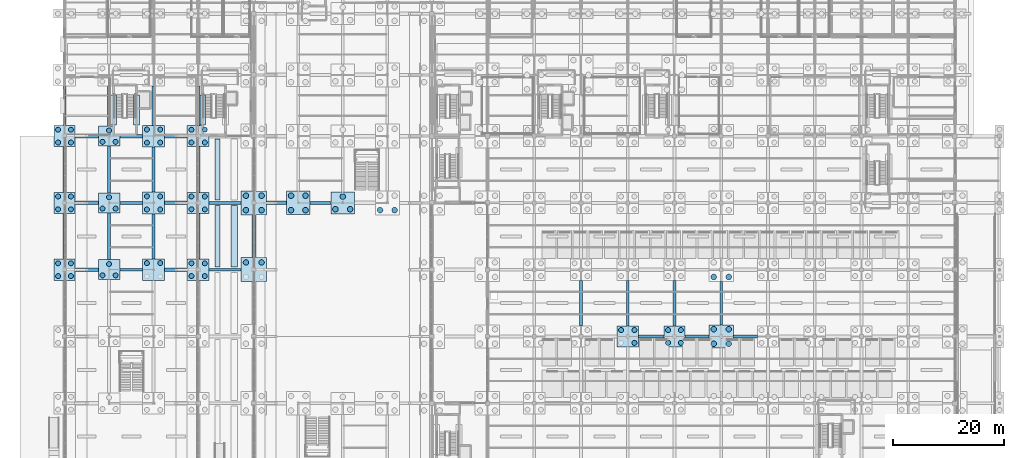
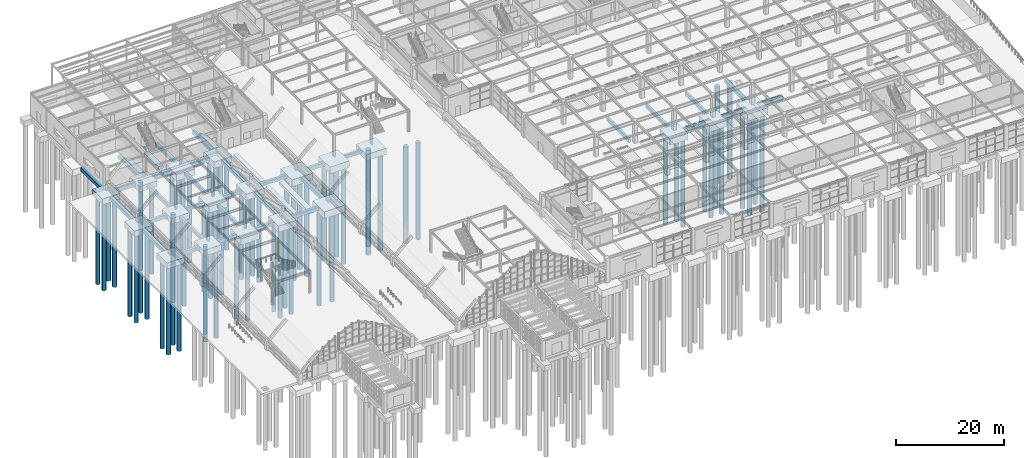
# One storey, part 4 of 129: 71 piles, 58 footings.
"""IFC4 building model written with IfcOpenShell, lengths in metres."""

from ifc_helpers import new_model, si_unit, direction, frame, origin, origin_2d, place, context, subcontext, project, spatial, rectangle, circle, extrude, material, material_profile, profile_set, type_object, element, save


model = new_model("IFC4")

# Units and contexts
model_context = context("Model", 3, precision=1e-05, world=origin(), true_north=direction((0.0, 1.0)))
body_context = subcontext(model_context, "Body", "Model", "MODEL_VIEW")
ifc_project = project(units=[si_unit("LENGTHUNIT", "METRE"), si_unit("AREAUNIT", "SQUARE_METRE"), si_unit("VOLUMEUNIT", "CUBIC_METRE"), si_unit("PLANEANGLEUNIT", "RADIAN"), si_unit("MASSUNIT", "GRAM", prefix="KILO")], contexts=[model_context])

# Site, building, storey
site_placement = place(None, origin())
site = spatial("IfcSite", under=ifc_project, at=site_placement, CompositionType="ELEMENT")
building_placement = place(site_placement, origin())
building = spatial("IfcBuilding", under=site, at=building_placement, Name="Sitalva Quay Ferry Terminal", CompositionType="ELEMENT")
storey_placement = place(building_placement, origin())
storey = spatial("IfcBuildingStorey", under=building, at=storey_placement, Name="L01", CompositionType="ELEMENT", Elevation=0.0)

# Footings
ifc_material_1 = material(Name="Concrete C35/45", Category="concrete")
ifc_material_profile_1 = material_profile(ifc_material_1, rectangle(XDim=0.5, YDim=0.75, at=origin_2d()), Name="RC500x750")
ifc_profile_set_1 = profile_set([ifc_material_profile_1], Name="Concrete C35/45")
footing_type_1 = type_object("IfcFootingType", Name="FootingBeam_500x750", PredefinedType="FOOTING_BEAM", material=ifc_profile_set_1)
footing_1_placement = place(storey_placement, frame((119.5, 42.0, -0.824951171875), z_axis=(1.0, 0.0, 0.0), x_axis=(0.0, 1.0, 0.0)))
element("IfcFooting", 1, at=footing_1_placement, inside=storey, type_object=footing_type_1, Name="Foundation tie beam FBR1-X-073", PredefinedType="FOOTING_BEAM", context=body_context, shape_type="SweptSolid", body=[
    extrude(rectangle(XDim=0.5, YDim=0.75, at=origin_2d()), origin(), (0.0, 0.0, 1.0), 4.300048828125),
])
footing_2_placement = place(storey_placement, frame((17.925048828125, 54.0, -0.824951171875), z_axis=(1.0, 0.0, 0.0), x_axis=(0.0, 1.0, 0.0)))
element("IfcFooting", 2, at=footing_2_placement, inside=storey, type_object=footing_type_1, Name="Foundation tie beam FBR1-X-081", PredefinedType="FOOTING_BEAM", context=body_context, shape_type="SweptSolid", body=[
    extrude(rectangle(XDim=0.5, YDim=0.75, at=origin_2d()), origin(), (0.0, 0.0, 1.0), 4.074951171875),
])
footing_3_placement = place(storey_placement, frame((33.949951171875, 54.0, -0.824951171875), z_axis=(1.0, 0.0, 0.0), x_axis=(0.0, 1.0, 0.0)))
element("IfcFooting", 3, at=footing_3_placement, inside=storey, type_object=footing_type_1, Name="Foundation tie beam FBR1-X-083", PredefinedType="FOOTING_BEAM", context=body_context, shape_type="SweptSolid", body=[
    extrude(rectangle(XDim=0.5, YDim=0.75, at=origin_2d()), origin(), (0.0, 0.0, 1.0), 5.800048828125),
])
footing_4_placement = place(storey_placement, frame((17.925048828125, 66.0, -0.824951171875), z_axis=(1.0, 0.0, 0.0), x_axis=(0.0, 1.0, 0.0)))
element("IfcFooting", 4, at=footing_4_placement, inside=storey, type_object=footing_type_1, Name="Foundation tie beam FBR1-X-097", PredefinedType="FOOTING_BEAM", context=body_context, shape_type="SweptSolid", body=[
    extrude(rectangle(XDim=0.5, YDim=0.75, at=origin_2d()), origin(), (0.0, 0.0, 1.0), 4.074951171875),
])
footing_5_placement = place(storey_placement, frame((33.949951171875, 66.0, -0.824951171875), z_axis=(1.0, 0.0, 0.0), x_axis=(0.0, 1.0, 0.0)))
element("IfcFooting", 5, at=footing_5_placement, inside=storey, type_object=footing_type_1, Name="Foundation tie beam FBR1-X-099", PredefinedType="FOOTING_BEAM", context=body_context, shape_type="SweptSolid", body=[
    extrude(rectangle(XDim=0.5, YDim=0.75, at=origin_2d()), origin(), (0.0, 0.0, 1.0), 5.800048828125),
])
footing_6_placement = place(storey_placement, frame((52.10009765625, 66.0, -0.824951171875), z_axis=(1.0, 0.0, 0.0), x_axis=(0.0, 1.0, 0.0)))
element("IfcFooting", 6, at=footing_6_placement, inside=storey, type_object=footing_type_1, Name="Foundation tie beam FBR1-X-101", PredefinedType="FOOTING_BEAM", context=body_context, shape_type="SweptSolid", body=[
    extrude(rectangle(XDim=0.5, YDim=0.75, at=origin_2d()), origin(), (0.0, 0.0, 1.0), 3.77490234375),
])
for number, where, z_axis, x_axis, name in (
    (7, (16.0, 55.800048828125, -0.824951171875), (0.0, 1.0, 0.0), (-1.0, 0.0, 0.0), "Foundation tie beam FBR1-Y-220"),
    (8, (16.0, 67.800048828125, -0.824951171875), (0.0, 1.0, 0.0), (-1.0, 0.0, 0.0), "Foundation tie beam FBR1-Y-221"),
):
    element("IfcFooting", number, at=place(storey_placement, frame(where, z_axis=z_axis, x_axis=x_axis)), inside=storey, type_object=footing_type_1, Name=name, PredefinedType="FOOTING_BEAM", context=body_context, shape_type="SweptSolid", body=[
        extrude(rectangle(XDim=0.5, YDim=0.75, at=origin_2d()), origin(), (0.0, 0.0, 1.0), 8.39990234375),
    ])
footing_7_placement = place(storey_placement, frame((16.0, 79.800048828125, -0.824951171875), z_axis=(0.0, 1.0, 0.0), x_axis=(-1.0, 0.0, 0.0)))
element("IfcFooting", 9, at=footing_7_placement, inside=storey, type_object=footing_type_1, Name="Foundation tie beam FBR1-Y-222", PredefinedType="FOOTING_BEAM", context=body_context, shape_type="SweptSolid", body=[
    extrude(rectangle(XDim=0.5, YDim=0.75, at=origin_2d()), origin(), (0.0, 0.0, 1.0), 7.25),
])
for number, where, z_axis, x_axis, name in (
    (10, (24.0, 55.949951171875, -0.824951171875), (0.0, 1.0, 0.0), (-1.0, 0.0, 0.0), "Foundation tie beam FBR1-Y-230"),
    (11, (24.0, 67.949951171875, -0.824951171875), (0.0, 1.0, 0.0), (-1.0, 0.0, 0.0), "Foundation tie beam FBR1-Y-231"),
):
    element("IfcFooting", number, at=place(storey_placement, frame(where, z_axis=z_axis, x_axis=x_axis)), inside=storey, type_object=footing_type_1, Name=name, PredefinedType="FOOTING_BEAM", context=body_context, shape_type="SweptSolid", body=[
        extrude(rectangle(XDim=0.5, YDim=0.75, at=origin_2d()), origin(), (0.0, 0.0, 1.0), 8.10009765625),
    ])
footing_8_placement = place(storey_placement, frame((24.0, 79.949951171875, -0.824951171875), z_axis=(0.0, 1.0, 0.0), x_axis=(-1.0, 0.0, 0.0)))
element("IfcFooting", 12, at=footing_8_placement, inside=storey, type_object=footing_type_1, Name="Foundation tie beam FBR1-Y-232", PredefinedType="FOOTING_BEAM", context=body_context, shape_type="SweptSolid", body=[
    extrude(rectangle(XDim=0.5, YDim=0.75, at=origin_2d()), origin(), (0.0, 0.0, 1.0), 7.10009765625),
])
for number, where, z_axis, x_axis, name in (
    (13, (100.800048828125, 43.89990234375, -0.824951171875), (0.0, 1.0, 0.0), (-1.0, 0.0, 0.0), "Foundation tie beam FBR1-Y-314"),
    (14, (109.199951171875, 43.89990234375, -0.824951171875), (0.0, 1.0, 0.0), (-1.0, 0.0, 0.0), "Foundation tie beam FBR1-Y-324"),
    (15, (117.60009765625, 43.89990234375, -0.824951171875), (0.0, 1.0, 0.0), (-1.0, 0.0, 0.0), "Foundation tie beam FBR1-Y-334"),
):
    element("IfcFooting", number, at=place(storey_placement, frame(where, z_axis=z_axis, x_axis=x_axis)), inside=storey, type_object=footing_type_1, Name=name, PredefinedType="FOOTING_BEAM", context=body_context, shape_type="SweptSolid", body=[
        extrude(rectangle(XDim=0.5, YDim=0.75, at=origin_2d()), origin(), (0.0, 0.0, 1.0), 8.2001953125),
    ])
footing_9_placement = place(storey_placement, frame((126.0, 44.10009765625, -0.824951171875), z_axis=(0.0, 1.0, 0.0), x_axis=(-1.0, 0.0, 0.0)))
element("IfcFooting", 16, at=footing_9_placement, inside=storey, type_object=footing_type_1, Name="Foundation tie beam FBR1-Y-344", PredefinedType="FOOTING_BEAM", context=body_context, shape_type="SweptSolid", body=[
    extrude(rectangle(XDim=0.5, YDim=0.75, at=origin_2d()), origin(), (0.0, 0.0, 1.0), 7.7998046875),
])
ifc_material_2 = material(Name="Concrete C35/45", Category="concrete")
ifc_material_profile_2 = material_profile(ifc_material_2, rectangle(XDim=0.60009765625, YDim=0.800048828125, at=origin_2d()), Name="RC600x800")
ifc_profile_set_2 = profile_set([ifc_material_profile_2], Name="Concrete C35/45")
footing_type_2 = type_object("IfcFootingType", Name="FootingBeam_600x800", PredefinedType="FOOTING_BEAM", material=ifc_profile_set_2)
footing_10_placement = place(storey_placement, frame((111.14990234375, 42.0, -0.85009765625), z_axis=(1.0, 0.0, 0.0), x_axis=(0.0, 1.0, 0.0)))
element("IfcFooting", 17, at=footing_10_placement, inside=storey, type_object=footing_type_2, Name="Foundation tie beam FBR1-X-072", PredefinedType="FOOTING_BEAM", context=body_context, shape_type="SweptSolid", body=[
    extrude(rectangle(XDim=0.60009765625, YDim=0.800048828125, at=origin_2d()), origin(), (0.0, 0.0, 1.0), 4.550048828125),
])
footing_11_placement = place(storey_placement, frame((128.199951171875, 42.0, -0.85009765625), z_axis=(1.0, 0.0, 0.0), x_axis=(0.0, 1.0, 0.0)))
element("IfcFooting", 18, at=footing_11_placement, inside=storey, type_object=footing_type_2, Name="Foundation tie beam FBR1-X-074", PredefinedType="FOOTING_BEAM", context=body_context, shape_type="SweptSolid", body=[
    extrude(rectangle(XDim=0.60009765625, YDim=0.800048828125, at=origin_2d()), origin(), (0.0, 0.0, 1.0), 4.300048828125),
])
footing_12_placement = place(storey_placement, frame((9.89990234375, 54.0, -0.85009765625), z_axis=(1.0, 0.0, 0.0), x_axis=(0.0, 1.0, 0.0)))
element("IfcFooting", 19, at=footing_12_placement, inside=storey, type_object=footing_type_2, Name="Foundation tie beam FBR1-X-080", PredefinedType="FOOTING_BEAM", context=body_context, shape_type="SweptSolid", body=[
    extrude(rectangle(XDim=0.60009765625, YDim=0.800048828125, at=origin_2d()), origin(), (0.0, 0.0, 1.0), 4.175048828125),
])
footing_13_placement = place(storey_placement, frame((26.0, 54.0, -0.85009765625), z_axis=(1.0, 0.0, 0.0), x_axis=(0.0, 1.0, 0.0)))
element("IfcFooting", 20, at=footing_13_placement, inside=storey, type_object=footing_type_2, Name="Foundation tie beam FBR1-X-082", PredefinedType="FOOTING_BEAM", context=body_context, shape_type="SweptSolid", body=[
    extrude(rectangle(XDim=0.60009765625, YDim=0.800048828125, at=origin_2d()), origin(), (0.0, 0.0, 1.0), 4.050048828125),
])
footing_14_placement = place(storey_placement, frame((9.89990234375, 66.0, -0.85009765625), z_axis=(1.0, 0.0, 0.0), x_axis=(0.0, 1.0, 0.0)))
element("IfcFooting", 21, at=footing_14_placement, inside=storey, type_object=footing_type_2, Name="Foundation tie beam FBR1-X-096", PredefinedType="FOOTING_BEAM", context=body_context, shape_type="SweptSolid", body=[
    extrude(rectangle(XDim=0.60009765625, YDim=0.800048828125, at=origin_2d()), origin(), (0.0, 0.0, 1.0), 4.175048828125),
])
footing_15_placement = place(storey_placement, frame((26.0, 66.0, -0.85009765625), z_axis=(1.0, 0.0, 0.0), x_axis=(0.0, 1.0, 0.0)))
element("IfcFooting", 22, at=footing_15_placement, inside=storey, type_object=footing_type_2, Name="Foundation tie beam FBR1-X-098", PredefinedType="FOOTING_BEAM", context=body_context, shape_type="SweptSolid", body=[
    extrude(rectangle(XDim=0.60009765625, YDim=0.800048828125, at=origin_2d()), origin(), (0.0, 0.0, 1.0), 4.050048828125),
])
footing_16_placement = place(storey_placement, frame((44.25, 66.0, -0.85009765625), z_axis=(1.0, 0.0, 0.0), x_axis=(0.0, 1.0, 0.0)))
element("IfcFooting", 23, at=footing_16_placement, inside=storey, type_object=footing_type_2, Name="Foundation tie beam FBR1-X-100", PredefinedType="FOOTING_BEAM", context=body_context, shape_type="SweptSolid", body=[
    extrude(rectangle(XDim=0.60009765625, YDim=0.800048828125, at=origin_2d()), origin(), (0.0, 0.0, 1.0), 3.64990234375),
])
for number, where, z_axis, x_axis, name in (
    (24, (8.0, 55.89990234375, -0.85009765625), (0.0, 1.0, 0.0), (-1.0, 0.0, 0.0), "Foundation tie beam FBR1-Y-213"),
    (25, (8.0, 67.89990234375, -0.85009765625), (0.0, 1.0, 0.0), (-1.0, 0.0, 0.0), "Foundation tie beam FBR1-Y-214"),
):
    element("IfcFooting", number, at=place(storey_placement, frame(where, z_axis=z_axis, x_axis=x_axis)), inside=storey, type_object=footing_type_2, Name=name, PredefinedType="FOOTING_BEAM", context=body_context, shape_type="SweptSolid", body=[
        extrude(rectangle(XDim=0.60009765625, YDim=0.800048828125, at=origin_2d()), origin(), (0.0, 0.0, 1.0), 8.2001953125),
    ])
footing_17_placement = place(storey_placement, frame((8.0, 79.89990234375, -0.85009765625), z_axis=(0.0, 1.0, 0.0), x_axis=(-1.0, 0.0, 0.0)))
element("IfcFooting", 26, at=footing_17_placement, inside=storey, type_object=footing_type_2, Name="Foundation tie beam FBR1-Y-215", PredefinedType="FOOTING_BEAM", context=body_context, shape_type="SweptSolid", body=[
    extrude(rectangle(XDim=0.60009765625, YDim=0.800048828125, at=origin_2d()), origin(), (0.0, 0.0, 1.0), 7.150146484375),
])
for number, where, z_axis, x_axis, name in (
    (27, (32.0, 55.89990234375, -0.85009765625), (0.0, 1.0, 0.0), (-1.0, 0.0, 0.0), "Foundation tie beam FBR1-Y-240"),
    (28, (32.0, 67.89990234375, -0.85009765625), (0.0, 1.0, 0.0), (-1.0, 0.0, 0.0), "Foundation tie beam FBR1-Y-241"),
):
    element("IfcFooting", number, at=place(storey_placement, frame(where, z_axis=z_axis, x_axis=x_axis)), inside=storey, type_object=footing_type_2, Name=name, PredefinedType="FOOTING_BEAM", context=body_context, shape_type="SweptSolid", body=[
        extrude(rectangle(XDim=0.60009765625, YDim=0.800048828125, at=origin_2d()), origin(), (0.0, 0.0, 1.0), 8.2001953125),
    ])
footing_18_placement = place(storey_placement, frame((32.0, 79.89990234375, -0.85009765625), z_axis=(0.0, 1.0, 0.0), x_axis=(-1.0, 0.0, 0.0)))
element("IfcFooting", 29, at=footing_18_placement, inside=storey, type_object=footing_type_2, Name="Foundation tie beam FBR1-Y-242", PredefinedType="FOOTING_BEAM", context=body_context, shape_type="SweptSolid", body=[
    extrude(rectangle(XDim=0.60009765625, YDim=0.800048828125, at=origin_2d()), origin(), (0.0, 0.0, 1.0), 7.150146484375),
])
footing_19_placement = place(storey_placement, frame((42.0, 56.14990234375, -0.85009765625), z_axis=(0.0, 1.0, 0.0), x_axis=(-1.0, 0.0, 0.0)))
element("IfcFooting", 30, at=footing_19_placement, inside=storey, type_object=footing_type_2, Name="Foundation tie beam FBR1-Y-250", PredefinedType="FOOTING_BEAM", context=body_context, shape_type="SweptSolid", body=[
    extrude(rectangle(XDim=0.60009765625, YDim=0.800048828125, at=origin_2d()), origin(), (0.0, 0.0, 1.0), 7.7001953125),
])
ifc_material_3 = material(Name="Concrete C35/45", Category="concrete")
ifc_material_profile_3 = material_profile(ifc_material_3, rectangle(XDim=0.64990234375, YDim=0.89990234375, at=origin_2d()), Name="RC650x900")
ifc_profile_set_3 = profile_set([ifc_material_profile_3], Name="Concrete C35/45")
footing_type_3 = type_object("IfcFootingType", Name="FootingBeam_650x900", PredefinedType="FOOTING_BEAM", material=ifc_profile_set_3)
footing_20_placement = place(storey_placement, frame((9.89990234375, 78.0, -0.89990234375), z_axis=(1.0, 0.0, 0.0), x_axis=(0.0, 1.0, 0.0)))
element("IfcFooting", 31, at=footing_20_placement, inside=storey, type_object=footing_type_3, Name="Foundation tie beam FBR1-X-116", PredefinedType="FOOTING_BEAM", context=body_context, shape_type="SweptSolid", body=[
    extrude(rectangle(XDim=0.64990234375, YDim=0.89990234375, at=origin_2d()), origin(), (0.0, 0.0, 1.0), 4.175048828125),
])
footing_21_placement = place(storey_placement, frame((17.925048828125, 78.0, -0.89990234375), z_axis=(1.0, 0.0, 0.0), x_axis=(0.0, 1.0, 0.0)))
element("IfcFooting", 32, at=footing_21_placement, inside=storey, type_object=footing_type_3, Name="Foundation tie beam FBR1-X-117", PredefinedType="FOOTING_BEAM", context=body_context, shape_type="SweptSolid", body=[
    extrude(rectangle(XDim=0.64990234375, YDim=0.89990234375, at=origin_2d()), origin(), (0.0, 0.0, 1.0), 4.074951171875),
])
footing_22_placement = place(storey_placement, frame((26.0, 78.0, -0.89990234375), z_axis=(1.0, 0.0, 0.0), x_axis=(0.0, 1.0, 0.0)))
element("IfcFooting", 33, at=footing_22_placement, inside=storey, type_object=footing_type_3, Name="Foundation tie beam FBR1-X-118", PredefinedType="FOOTING_BEAM", context=body_context, shape_type="SweptSolid", body=[
    extrude(rectangle(XDim=0.64990234375, YDim=0.89990234375, at=origin_2d()), origin(), (0.0, 0.0, 1.0), 4.050048828125),
])
ifc_material_4 = material(Name="Concrete C35/45", Category="concrete")
footing_type_4 = type_object("IfcFootingType", Name="PileCap_3P_D1000_A", PredefinedType="PILE_CAP", material=ifc_material_4)
footing_23_placement = place(storey_placement, frame((58.0, 66.0, -1.869873046875), z_axis=(0.0, 0.0, 1.0), x_axis=(1.0, 0.0, 0.0)))
element("IfcFooting", 34, at=footing_23_placement, inside=storey, type_object=footing_type_4, Name="Pile cap PC-18 at 8H", PredefinedType="PILE_CAP", context=body_context, shape_type="SweptSolid", body=[
    extrude(rectangle(XDim=4.25, YDim=3.949951171875, at=origin_2d()), origin(), (0.0, 0.0, 1.0), 1.419921875),
])
ifc_material_5 = material(Name="Concrete C35/45", Category="concrete")
footing_type_5 = type_object("IfcFootingType", Name="PileCap_3P_D900_A", PredefinedType="PILE_CAP", material=ifc_material_5)
for number, where, z_axis, x_axis, name in (
    (35, (16.0, 54.0, -1.75), (0.0, 0.0, 1.0), (1.0, 0.0, 0.0), "Pile cap PC-17 at 3G"),
    (36, (16.0, 66.0, -1.75), (0.0, 0.0, 1.0), (1.0, 0.0, 0.0), "Pile cap PC-17 at 3H"),
    (37, (16.0, 78.0, -1.75), (0.0, 0.0, 1.0), (1.0, 0.0, 0.0), "Pile cap PC-17 at 3J"),
):
    element("IfcFooting", number, at=place(storey_placement, frame(where, z_axis=z_axis, x_axis=x_axis)), inside=storey, type_object=footing_type_5, Name=name, PredefinedType="PILE_CAP", context=body_context, shape_type="SweptSolid", body=[
        extrude(rectangle(XDim=3.85009765625, YDim=3.60009765625, at=origin_2d()), origin(), (0.0, 0.0, 1.0), 1.300048828125),
    ])
ifc_material_6 = material(Name="Concrete C35/45", Category="concrete")
footing_type_6 = type_object("IfcFootingType", Name="PileCap_4P_D1000_A", PredefinedType="PILE_CAP", material=ifc_material_6)
footing_24_placement = place(storey_placement, frame((50.0, 66.0, -1.949951171875), z_axis=(0.0, 0.0, 1.0), x_axis=(1.0, 0.0, 0.0)))
element("IfcFooting", 38, at=footing_24_placement, inside=storey, type_object=footing_type_6, Name="Pile cap PC-03 at 7H", PredefinedType="PILE_CAP", context=body_context, shape_type="SweptSolid", body=[
    extrude(rectangle(XDim=4.199951171875, YDim=4.199951171875, at=origin_2d()), origin(), (0.0, 0.0, 1.0), 1.5),
])
ifc_material_7 = material(Name="Concrete C35/45", Category="concrete")
footing_type_7 = type_object("IfcFootingType", Name="PileCap_4P_D1000_C", PredefinedType="PILE_CAP", material=ifc_material_7)
footing_25_placement = place(storey_placement, frame((126.0, 42.0, -2.050048828125), z_axis=(0.0, 0.0, 1.0), x_axis=(1.0, 0.0, 0.0)))
element("IfcFooting", 39, at=footing_25_placement, inside=storey, type_object=footing_type_7, Name="Pile cap PC-05 at 16F", PredefinedType="PILE_CAP", context=body_context, shape_type="SweptSolid", body=[
    extrude(rectangle(XDim=4.39990234375, YDim=4.199951171875, at=origin_2d()), origin(), (0.0, 0.0, 1.0), 1.60009765625),
])
ifc_material_8 = material(Name="Concrete C35/45", Category="concrete")
footing_type_8 = type_object("IfcFootingType", Name="PileCap_4P_D1000_V1", PredefinedType="PILE_CAP", material=ifc_material_8)
for number, where, z_axis, x_axis, name in (
    (40, (42.0, 54.0, -2.0), (0.0, 0.0, 1.0), (1.0, 0.0, 0.0), "Pile cap PC-06 at 6G"),
    (41, (42.0, 66.0, -2.0), (0.0, 0.0, 1.0), (1.0, 0.0, 0.0), "Pile cap PC-06 at 6H"),
):
    element("IfcFooting", number, at=place(storey_placement, frame(where, z_axis=z_axis, x_axis=x_axis)), inside=storey, type_object=footing_type_8, Name=name, PredefinedType="PILE_CAP", context=body_context, shape_type="SweptSolid", body=[
        extrude(rectangle(XDim=4.5, YDim=4.300048828125, at=origin_2d()), origin(), (0.0, 0.0, 1.0), 1.550048828125),
    ])
ifc_material_9 = material(Name="Concrete C35/45", Category="concrete")
footing_type_9 = type_object("IfcFootingType", Name="PileCap_4P_D900_A", PredefinedType="PILE_CAP", material=ifc_material_9)
for number, where, z_axis, x_axis, name in (
    (42, (117.60009765625, 42.0, -1.800048828125), (0.0, 0.0, 1.0), (1.0, 0.0, 0.0), "Pile cap PC-07 at 15F"),
    (43, (8.0, 54.0, -1.800048828125), (0.0, 0.0, 1.0), (1.0, 0.0, 0.0), "Pile cap PC-07 at 2G"),
    (44, (8.0, 66.0, -1.800048828125), (0.0, 0.0, 1.0), (1.0, 0.0, 0.0), "Pile cap PC-07 at 2H"),
    (45, (8.0, 78.0, -1.800048828125), (0.0, 0.0, 1.0), (1.0, 0.0, 0.0), "Pile cap PC-07 at 2J"),
):
    element("IfcFooting", number, at=place(storey_placement, frame(where, z_axis=z_axis, x_axis=x_axis)), inside=storey, type_object=footing_type_9, Name=name, PredefinedType="PILE_CAP", context=body_context, shape_type="SweptSolid", body=[
        extrude(rectangle(XDim=3.800048828125, YDim=3.800048828125, at=origin_2d()), origin(), (0.0, 0.0, 1.0), 1.35009765625),
    ])
ifc_material_10 = material(Name="Concrete C35/45", Category="concrete")
footing_type_10 = type_object("IfcFootingType", Name="PileCap_4P_D900_B", PredefinedType="PILE_CAP", material=ifc_material_10)
for number, where, z_axis, x_axis, name in (
    (46, (109.199951171875, 42.0, -1.849853515625), (0.0, 0.0, 1.0), (1.0, 0.0, 0.0), "Pile cap PC-08 at 14F"),
    (47, (32.0, 54.0, -1.849853515625), (0.0, 0.0, 1.0), (1.0, 0.0, 0.0), "Pile cap PC-08 at 5G"),
    (48, (32.0, 66.0, -1.849853515625), (0.0, 0.0, 1.0), (1.0, 0.0, 0.0), "Pile cap PC-08 at 5H"),
    (49, (32.0, 78.0, -1.849853515625), (0.0, 0.0, 1.0), (1.0, 0.0, 0.0), "Pile cap PC-08 at 5J"),
):
    element("IfcFooting", number, at=place(storey_placement, frame(where, z_axis=z_axis, x_axis=x_axis)), inside=storey, type_object=footing_type_10, Name=name, PredefinedType="PILE_CAP", context=body_context, shape_type="SweptSolid", body=[
        extrude(rectangle(XDim=3.89990234375, YDim=3.800048828125, at=origin_2d()), origin(), (0.0, 0.0, 1.0), 1.39990234375),
    ])
ifc_material_11 = material(Name="Concrete C35/45", Category="concrete")
footing_type_11 = type_object("IfcFootingType", Name="PileCap_4P_D900_C", PredefinedType="PILE_CAP", material=ifc_material_11)
for number, where, z_axis, x_axis, name in (
    (50, (24.0, 54.0, -1.89990234375), (0.0, 0.0, 1.0), (1.0, 0.0, 0.0), "Pile cap PC-09 at 4G"),
    (51, (24.0, 66.0, -1.89990234375), (0.0, 0.0, 1.0), (1.0, 0.0, 0.0), "Pile cap PC-09 at 4H"),
    (52, (24.0, 78.0, -1.89990234375), (0.0, 0.0, 1.0), (1.0, 0.0, 0.0), "Pile cap PC-09 at 4J"),
):
    element("IfcFooting", number, at=place(storey_placement, frame(where, z_axis=z_axis, x_axis=x_axis)), inside=storey, type_object=footing_type_11, Name=name, PredefinedType="PILE_CAP", context=body_context, shape_type="SweptSolid", body=[
        extrude(rectangle(XDim=4.0, YDim=3.89990234375, at=origin_2d()), origin(), (0.0, 0.0, 1.0), 1.449951171875),
    ])

# Piles
ifc_material_12 = material(Name="Concrete C35/45", Category="concrete")
ifc_material_profile_4 = material_profile(ifc_material_12, circle(Radius=0.5, at=origin_2d()), Name="PILE-D1000")
ifc_profile_set_4 = profile_set([ifc_material_profile_4], Name="Concrete C35/45")
pile_type_1 = type_object("IfcPileType", Name="Pile_Bored_D1000", PredefinedType="BORED", material=ifc_profile_set_4)
for number, where, z_axis, x_axis, name in (
    (53, (124.64990234375, 40.699951171875, -1.949951171875), (0.0, 0.0, -1.0), (1.0, 0.0, 0.0), "Bored pile 16F-P1"),
    (54, (127.35009765625, 40.699951171875, -1.949951171875), (0.0, 0.0, -1.0), (1.0, 0.0, 0.0), "Bored pile 16F-P2"),
    (55, (124.64990234375, 43.300048828125, -1.949951171875), (0.0, 0.0, -1.0), (1.0, 0.0, 0.0), "Bored pile 16F-P3"),
    (56, (127.35009765625, 43.300048828125, -1.949951171875), (0.0, 0.0, -1.0), (1.0, 0.0, 0.0), "Bored pile 16F-P4"),
    (57, (40.60009765625, 55.300048828125, -1.89990234375), (0.0, 0.0, -1.0), (1.0, 0.0, 0.0), "Bored pile 6G-P3"),
    (58, (43.39990234375, 55.300048828125, -1.89990234375), (0.0, 0.0, -1.0), (1.0, 0.0, 0.0), "Bored pile 6G-P4"),
    (59, (124.64990234375, 52.699951171875, -1.949951171875), (0.0, 0.0, -1.0), (1.0, 0.0, 0.0), "Bored pile 16G-P1"),
    (60, (127.35009765625, 52.699951171875, -1.949951171875), (0.0, 0.0, -1.0), (1.0, 0.0, 0.0), "Bored pile 16G-P2"),
    (61, (40.60009765625, 64.699951171875, -1.89990234375), (0.0, 0.0, -1.0), (1.0, 0.0, 0.0), "Bored pile 6H-P1"),
    (62, (43.39990234375, 64.699951171875, -1.89990234375), (0.0, 0.0, -1.0), (1.0, 0.0, 0.0), "Bored pile 6H-P2"),
    (63, (40.60009765625, 67.300048828125, -1.89990234375), (0.0, 0.0, -1.0), (1.0, 0.0, 0.0), "Bored pile 6H-P3"),
    (64, (43.39990234375, 67.300048828125, -1.89990234375), (0.0, 0.0, -1.0), (1.0, 0.0, 0.0), "Bored pile 6H-P4"),
    (65, (48.699951171875, 64.699951171875, -1.85009765625), (0.0, 0.0, -1.0), (1.0, 0.0, 0.0), "Bored pile 7H-P1"),
    (66, (51.300048828125, 64.699951171875, -1.85009765625), (0.0, 0.0, -1.0), (1.0, 0.0, 0.0), "Bored pile 7H-P2"),
    (67, (48.699951171875, 67.300048828125, -1.85009765625), (0.0, 0.0, -1.0), (1.0, 0.0, 0.0), "Bored pile 7H-P3"),
    (68, (51.300048828125, 67.300048828125, -1.85009765625), (0.0, 0.0, -1.0), (1.0, 0.0, 0.0), "Bored pile 7H-P4"),
    (69, (56.679931640625, 64.860107421875, -1.77001953125), (0.0, 0.0, -1.0), (1.0, 0.0, 0.0), "Bored pile 8H-P1"),
    (70, (59.320068359375, 64.860107421875, -1.77001953125), (0.0, 0.0, -1.0), (1.0, 0.0, 0.0), "Bored pile 8H-P2"),
    (71, (58.0, 67.139892578125, -1.77001953125), (0.0, 0.0, -1.0), (1.0, 0.0, 0.0), "Bored pile 8H-P3"),
    (72, (64.699951171875, 64.699951171875, -1.89990234375), (0.0, 0.0, -1.0), (1.0, 0.0, 0.0), "Bored pile 9H-P1"),
    (73, (67.300048828125, 64.699951171875, -1.89990234375), (0.0, 0.0, -1.0), (1.0, 0.0, 0.0), "Bored pile 9H-P2"),
):
    element("IfcPile", number, at=place(storey_placement, frame(where, z_axis=z_axis, x_axis=x_axis)), inside=storey, type_object=pile_type_1, Name=name, PredefinedType="BORED", context=body_context, shape_type="SweptSolid", body=[
        extrude(circle(Radius=0.5, at=origin_2d()), origin(), (0.0, 0.0, 1.0), 22.0),
    ])
ifc_material_13 = material(Name="Concrete C35/45", Category="concrete")
ifc_material_profile_5 = material_profile(ifc_material_13, circle(Radius=0.449951171875, at=origin_2d()), Name="PILE-D900")
ifc_profile_set_5 = profile_set([ifc_material_profile_5], Name="Concrete C35/45")
pile_type_2 = type_object("IfcPileType", Name="Pile_Bored_D900", PredefinedType="BORED", material=ifc_profile_set_5)
for number, where, z_axis, x_axis, name in (
    (74, (110.39990234375, 40.85009765625, -1.75), (0.0, 0.0, -1.0), (1.0, 0.0, 0.0), "Bored pile 14F-P2"),
    (75, (108.0, 43.14990234375, -1.75), (0.0, 0.0, -1.0), (1.0, 0.0, 0.0), "Bored pile 14F-P3"),
    (76, (110.39990234375, 43.14990234375, -1.75), (0.0, 0.0, -1.0), (1.0, 0.0, 0.0), "Bored pile 14F-P4"),
    (77, (116.449951171875, 40.85009765625, -1.699951171875), (0.0, 0.0, -1.0), (1.0, 0.0, 0.0), "Bored pile 15F-P1"),
    (78, (118.75, 40.85009765625, -1.699951171875), (0.0, 0.0, -1.0), (1.0, 0.0, 0.0), "Bored pile 15F-P2"),
    (79, (116.449951171875, 43.14990234375, -1.699951171875), (0.0, 0.0, -1.0), (1.0, 0.0, 0.0), "Bored pile 15F-P3"),
    (80, (118.75, 43.14990234375, -1.699951171875), (0.0, 0.0, -1.0), (1.0, 0.0, 0.0), "Bored pile 15F-P4"),
    (81, (6.85009765625, 52.85009765625, -1.699951171875), (0.0, 0.0, -1.0), (1.0, 0.0, 0.0), "Bored pile 2G-P1"),
    (82, (9.14990234375, 52.85009765625, -1.699951171875), (0.0, 0.0, -1.0), (1.0, 0.0, 0.0), "Bored pile 2G-P2"),
    (83, (6.85009765625, 55.14990234375, -1.699951171875), (0.0, 0.0, -1.0), (1.0, 0.0, 0.0), "Bored pile 2G-P3"),
    (84, (9.14990234375, 55.14990234375, -1.699951171875), (0.0, 0.0, -1.0), (1.0, 0.0, 0.0), "Bored pile 2G-P4"),
    (85, (14.820068359375, 52.97998046875, -1.64990234375), (0.0, 0.0, -1.0), (1.0, 0.0, 0.0), "Bored pile 3G-P1"),
    (86, (17.179931640625, 52.97998046875, -1.64990234375), (0.0, 0.0, -1.0), (1.0, 0.0, 0.0), "Bored pile 3G-P2"),
    (87, (16.0, 55.02001953125, -1.64990234375), (0.0, 0.0, -1.0), (1.0, 0.0, 0.0), "Bored pile 3G-P3"),
    (88, (22.800048828125, 55.179931640625, -1.800048828125), (0.0, 0.0, -1.0), (1.0, 0.0, 0.0), "Bored pile 4G-P3"),
    (89, (25.199951171875, 55.179931640625, -1.800048828125), (0.0, 0.0, -1.0), (1.0, 0.0, 0.0), "Bored pile 4G-P4"),
    (90, (30.800048828125, 52.85009765625, -1.75), (0.0, 0.0, -1.0), (1.0, 0.0, 0.0), "Bored pile 5G-P1"),
    (91, (33.199951171875, 52.85009765625, -1.75), (0.0, 0.0, -1.0), (1.0, 0.0, 0.0), "Bored pile 5G-P2"),
    (92, (30.800048828125, 55.14990234375, -1.75), (0.0, 0.0, -1.0), (1.0, 0.0, 0.0), "Bored pile 5G-P3"),
    (93, (33.199951171875, 55.14990234375, -1.75), (0.0, 0.0, -1.0), (1.0, 0.0, 0.0), "Bored pile 5G-P4"),
    (94, (6.85009765625, 64.85009765625, -1.699951171875), (0.0, 0.0, -1.0), (1.0, 0.0, 0.0), "Bored pile 2H-P1"),
    (95, (9.14990234375, 64.85009765625, -1.699951171875), (0.0, 0.0, -1.0), (1.0, 0.0, 0.0), "Bored pile 2H-P2"),
    (96, (6.85009765625, 67.14990234375, -1.699951171875), (0.0, 0.0, -1.0), (1.0, 0.0, 0.0), "Bored pile 2H-P3"),
    (97, (9.14990234375, 67.14990234375, -1.699951171875), (0.0, 0.0, -1.0), (1.0, 0.0, 0.0), "Bored pile 2H-P4"),
    (98, (14.820068359375, 64.97998046875, -1.64990234375), (0.0, 0.0, -1.0), (1.0, 0.0, 0.0), "Bored pile 3H-P1"),
    (99, (17.179931640625, 64.97998046875, -1.64990234375), (0.0, 0.0, -1.0), (1.0, 0.0, 0.0), "Bored pile 3H-P2"),
    (100, (16.0, 67.02001953125, -1.64990234375), (0.0, 0.0, -1.0), (1.0, 0.0, 0.0), "Bored pile 3H-P3"),
    (101, (22.800048828125, 64.820068359375, -1.800048828125), (0.0, 0.0, -1.0), (1.0, 0.0, 0.0), "Bored pile 4H-P1"),
    (102, (25.199951171875, 64.820068359375, -1.800048828125), (0.0, 0.0, -1.0), (1.0, 0.0, 0.0), "Bored pile 4H-P2"),
    (103, (22.800048828125, 67.179931640625, -1.800048828125), (0.0, 0.0, -1.0), (1.0, 0.0, 0.0), "Bored pile 4H-P3"),
    (104, (25.199951171875, 67.179931640625, -1.800048828125), (0.0, 0.0, -1.0), (1.0, 0.0, 0.0), "Bored pile 4H-P4"),
    (105, (30.800048828125, 64.85009765625, -1.75), (0.0, 0.0, -1.0), (1.0, 0.0, 0.0), "Bored pile 5H-P1"),
    (106, (33.199951171875, 64.85009765625, -1.75), (0.0, 0.0, -1.0), (1.0, 0.0, 0.0), "Bored pile 5H-P2"),
    (107, (30.800048828125, 67.14990234375, -1.75), (0.0, 0.0, -1.0), (1.0, 0.0, 0.0), "Bored pile 5H-P3"),
    (108, (33.199951171875, 67.14990234375, -1.75), (0.0, 0.0, -1.0), (1.0, 0.0, 0.0), "Bored pile 5H-P4"),
    (109, (6.85009765625, 76.85009765625, -1.699951171875), (0.0, 0.0, -1.0), (1.0, 0.0, 0.0), "Bored pile 2J-P1"),
    (110, (9.14990234375, 76.85009765625, -1.699951171875), (0.0, 0.0, -1.0), (1.0, 0.0, 0.0), "Bored pile 2J-P2"),
    (111, (6.85009765625, 79.14990234375, -1.699951171875), (0.0, 0.0, -1.0), (1.0, 0.0, 0.0), "Bored pile 2J-P3"),
    (112, (9.14990234375, 79.14990234375, -1.699951171875), (0.0, 0.0, -1.0), (1.0, 0.0, 0.0), "Bored pile 2J-P4"),
    (113, (14.820068359375, 76.97998046875, -1.64990234375), (0.0, 0.0, -1.0), (1.0, 0.0, 0.0), "Bored pile 3J-P1"),
    (114, (17.179931640625, 76.97998046875, -1.64990234375), (0.0, 0.0, -1.0), (1.0, 0.0, 0.0), "Bored pile 3J-P2"),
    (115, (16.0, 79.02001953125, -1.64990234375), (0.0, 0.0, -1.0), (1.0, 0.0, 0.0), "Bored pile 3J-P3"),
    (116, (22.800048828125, 76.820068359375, -1.800048828125), (0.0, 0.0, -1.0), (1.0, 0.0, 0.0), "Bored pile 4J-P1"),
    (117, (25.199951171875, 76.820068359375, -1.800048828125), (0.0, 0.0, -1.0), (1.0, 0.0, 0.0), "Bored pile 4J-P2"),
    (118, (22.800048828125, 79.179931640625, -1.800048828125), (0.0, 0.0, -1.0), (1.0, 0.0, 0.0), "Bored pile 4J-P3"),
    (119, (25.199951171875, 79.179931640625, -1.800048828125), (0.0, 0.0, -1.0), (1.0, 0.0, 0.0), "Bored pile 4J-P4"),
    (120, (30.800048828125, 76.85009765625, -1.75), (0.0, 0.0, -1.0), (1.0, 0.0, 0.0), "Bored pile 5J-P1"),
    (121, (33.199951171875, 76.85009765625, -1.75), (0.0, 0.0, -1.0), (1.0, 0.0, 0.0), "Bored pile 5J-P2"),
    (122, (30.800048828125, 79.14990234375, -1.75), (0.0, 0.0, -1.0), (1.0, 0.0, 0.0), "Bored pile 5J-P3"),
    (123, (33.199951171875, 79.14990234375, -1.75), (0.0, 0.0, -1.0), (1.0, 0.0, 0.0), "Bored pile 5J-P4"),
):
    element("IfcPile", number, at=place(storey_placement, frame(where, z_axis=z_axis, x_axis=x_axis)), inside=storey, type_object=pile_type_2, Name=name, PredefinedType="BORED", context=body_context, shape_type="SweptSolid", body=[
        extrude(circle(Radius=0.449951171875, at=origin_2d()), origin(), (0.0, 0.0, 1.0), 20.0),
    ])

# Footings
ifc_material_14 = material(Name="Concrete C35/45", Category="concrete")
ifc_material_profile_6 = material_profile(ifc_material_14, rectangle(XDim=1.10009765625, YDim=0.699951171875, at=origin_2d()), Name="RC1100x700")
ifc_profile_set_6 = profile_set([ifc_material_profile_6], Name="Concrete C35/45")
footing_type_12 = type_object("IfcFootingType", Name="StripFooting_1100x700", PredefinedType="STRIP_FOOTING", material=ifc_profile_set_6)
footing_26_placement = place(storey_placement, frame((38.5, 54.5, -1.60009765625), z_axis=(0.0, 1.0, 0.0), x_axis=(-1.0, 0.0, 0.0)))
element("IfcFooting", 124, at=footing_26_placement, inside=storey, type_object=footing_type_12, Name="Monsoon court edge strip footing SFR1-10", PredefinedType="STRIP_FOOTING", context=body_context, shape_type="SweptSolid", body=[
    extrude(rectangle(XDim=1.10009765625, YDim=0.699951171875, at=origin_2d()), origin(), (0.0, 0.0, 1.0), 11.0),
])
for number, where, z_axis, x_axis, name in (
    (125, (16.800048828125, 80.0, -0.800048828125), (0.0, 1.0, 0.0), (-1.0, 0.0, 0.0), "Core C3 west shear wall strip footing"),
    (126, (20.89990234375, 80.0, -0.800048828125), (0.0, 1.0, 0.0), (-1.0, 0.0, 0.0), "Core C3 east shear wall strip footing"),
    (127, (32.800048828125, 80.0, -0.800048828125), (0.0, 1.0, 0.0), (-1.0, 0.0, 0.0), "Core C5 west shear wall strip footing"),
):
    element("IfcFooting", number, at=place(storey_placement, frame(where, z_axis=z_axis, x_axis=x_axis)), inside=storey, type_object=footing_type_12, Name=name, PredefinedType="STRIP_FOOTING", context=body_context, shape_type="SweptSolid", body=[
        extrude(rectangle(XDim=1.10009765625, YDim=0.699951171875, at=origin_2d()), origin(), (0.0, 0.0, 1.0), 5.39990234375),
    ])
ifc_material_15 = material(Name="Concrete C35/45", Category="concrete")
ifc_material_profile_7 = material_profile(ifc_material_15, rectangle(XDim=0.89990234375, YDim=0.60009765625, at=origin_2d()), Name="RC900x600")
ifc_profile_set_7 = profile_set([ifc_material_profile_7], Name="Concrete C35/45")
footing_type_13 = type_object("IfcFootingType", Name="StripFooting_900x600", PredefinedType="STRIP_FOOTING", material=ifc_profile_set_7)
for number, where, z_axis, x_axis, name in (
    (128, (35.5, 54.5, -1.550048828125), (0.0, 1.0, 0.0), (-1.0, 0.0, 0.0), "Monsoon court edge strip footing SFR1-09"),
    (129, (35.5, 66.5, -1.550048828125), (0.0, 1.0, 0.0), (-1.0, 0.0, 0.0), "Monsoon court edge strip footing SFR1-11"),
):
    element("IfcFooting", number, at=place(storey_placement, frame(where, z_axis=z_axis, x_axis=x_axis)), inside=storey, type_object=footing_type_13, Name=name, PredefinedType="STRIP_FOOTING", context=body_context, shape_type="SweptSolid", body=[
        extrude(rectangle(XDim=0.89990234375, YDim=0.60009765625, at=origin_2d()), origin(), (0.0, 0.0, 1.0), 11.0),
    ])

save(model, "model.ifc")
